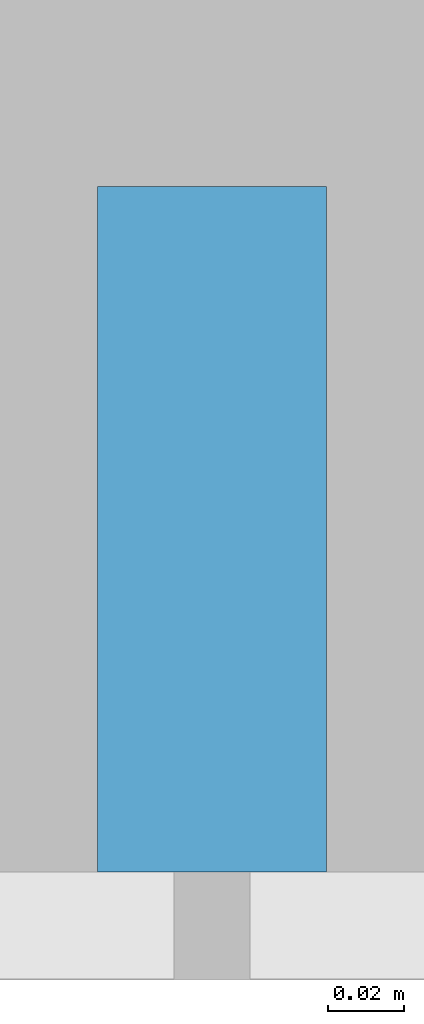
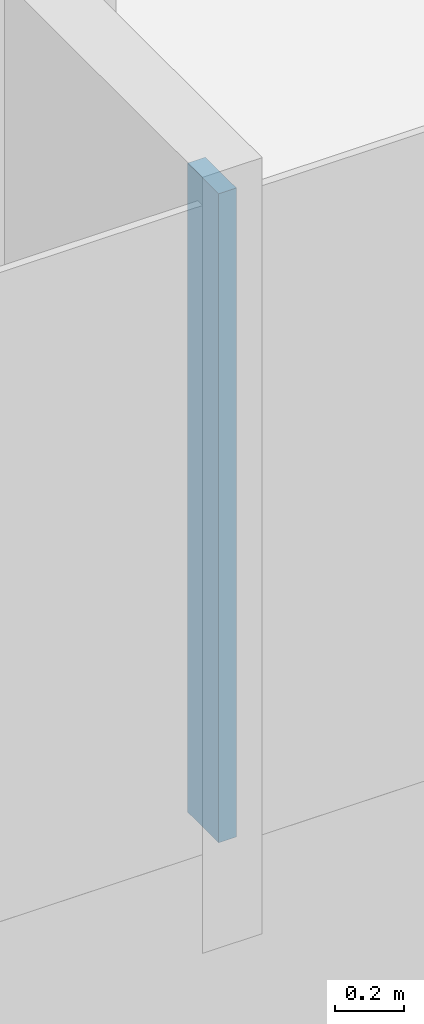
# One storey, part 3 of 26: 1 member, 1 element without a shape of its own.
"""IFC4 building model written with IfcOpenShell, lengths in metres."""

from ifc_helpers import new_model, si_unit, direction, frame, origin, origin_2d, place, context, subcontext, project, spatial, rectangle, extrude, material, layer, layer_set, material_profile, profile_set, type_object, element, aggregate, save


model = new_model("IFC4")

# Units and contexts
model_context = context("Model", 3, precision=1e-05, world=origin(), true_north=direction((0.0, 1.0)))
body_context = subcontext(model_context, "Body", "Model", "MODEL_VIEW")
ifc_project = project(units=[si_unit("LENGTHUNIT", "METRE"), si_unit("AREAUNIT", "SQUARE_METRE"), si_unit("VOLUMEUNIT", "CUBIC_METRE"), si_unit("PLANEANGLEUNIT", "RADIAN"), si_unit("MASSUNIT", "GRAM", prefix="KILO")], contexts=[model_context])

# Site, building, storey
site_placement = place(None, origin())
site = spatial("IfcSite", under=ifc_project, at=site_placement, CompositionType="ELEMENT")
building_placement = place(site_placement, origin())
building = spatial("IfcBuilding", under=site, at=building_placement, Name="Hakoniwa Tower and Hamabe Station Hall", CompositionType="ELEMENT")
storey_placement = place(building_placement, frame((0.0, 0.0, 209.0)))
storey = spatial("IfcBuildingStorey", under=building, at=storey_placement, Name="L59", CompositionType="ELEMENT", Elevation=209.0)

# Curtain wall, member
ifc_material_1 = material(Name="Dark low-e laminated glass", Category="glass")
ifc_layer = layer(ifc_material_1, 0.199951171875)
ifc_layer_set = layer_set([ifc_layer], Name="CW-1 UNITISED GUEST")
curtain_wall_type = type_object("IfcCurtainWallType", Name="CW-1 UNITISED GUEST", PredefinedType="NOTDEFINED", material=ifc_layer_set)
curtain_wall_placement = place(storey_placement, origin())
curtain_wall = element("IfcCurtainWall", 1, at=curtain_wall_placement, inside=storey, type_object=curtain_wall_type, Name="CW-1 curtain wall", PredefinedType="NOTDEFINED")
ifc_material_2 = material(Name="Aluminium 6063-T5 black anodised", Category="aluminium")
ifc_material_profile = material_profile(ifc_material_2, rectangle(XDim=0.06005859375, YDim=0.179931640625, at=origin_2d()), Name="CW-1 MULLION 60X180")
ifc_profile_set = profile_set([ifc_material_profile], Name="Aluminium 6063-T5 black anodised")
member_type = type_object("IfcMemberType", Name="CW-1 MULLION 60X180", PredefinedType="MULLION", material=ifc_profile_set)
member_placement = place(storey_placement, frame((0.0, -15.431884765625, 0.35009765625), z_axis=(0.0, 0.0, 1.0), x_axis=(1.0, 0.0, 0.0)))
member = element("IfcMember", 2, at=member_placement, type_object=member_type, Name="CW-1 mullion", PredefinedType="MULLION", context=body_context, shape_type="SweptSolid", body=[
    extrude(rectangle(XDim=0.06005859375, YDim=0.179931640625, at=origin_2d()), origin(), (0.0, 0.0, 1.0), 2.2998046875),
])
aggregate(curtain_wall, [member])

save(model, "model.ifc")
